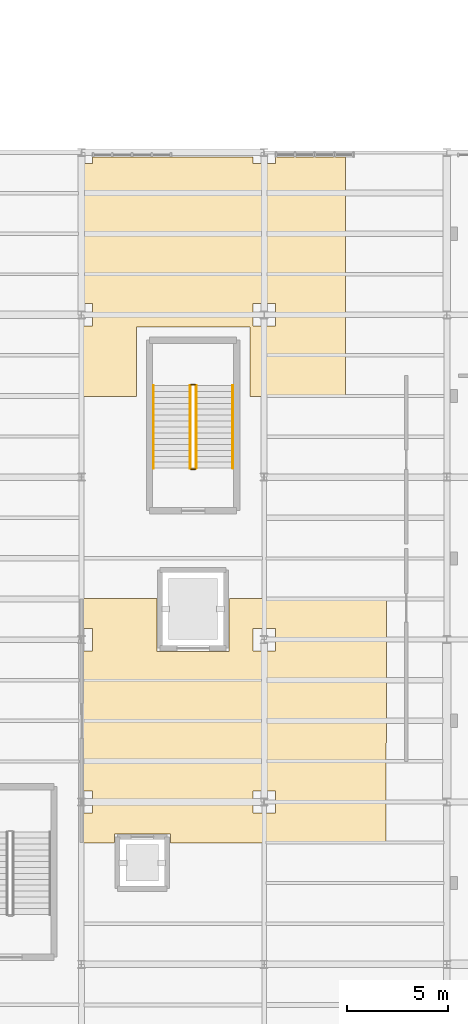
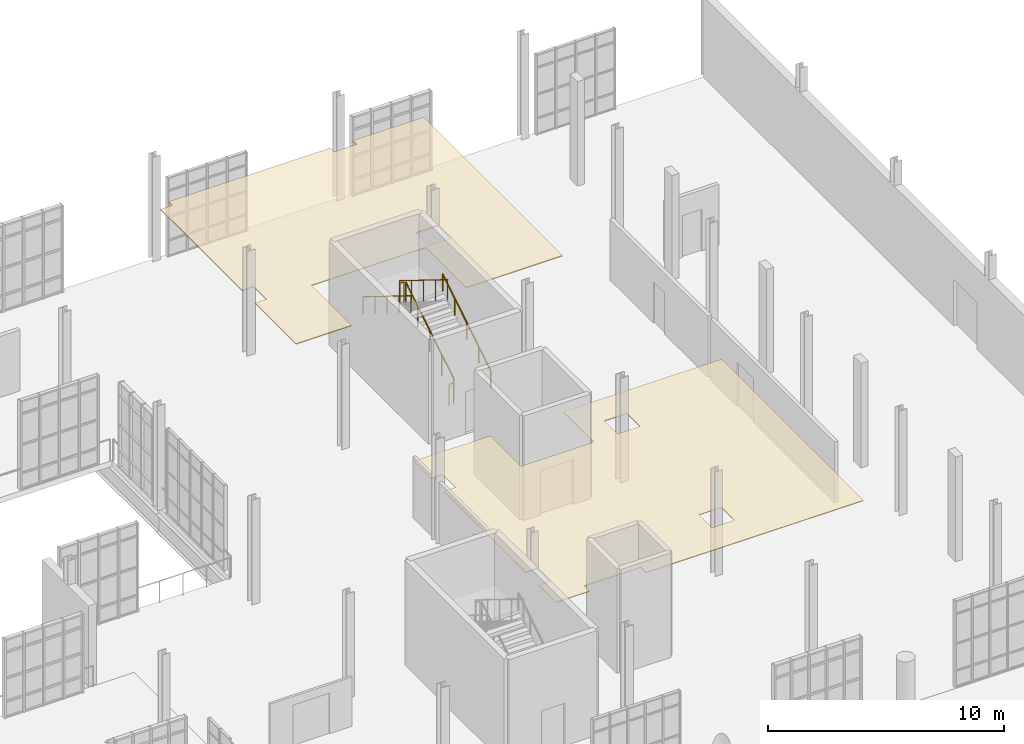
# One storey, part 188 of 189: 6 railings, 2 coverings.
"""IFC4 building model written with IfcOpenShell, lengths in metres."""

from ifc_helpers import new_model, si_unit, direction, frame, origin, origin_2d, place, context, subcontext, project, spatial, polyline, circle, outline, extrude, material, layer, layer_set, type_object, element, save


model = new_model("IFC4")

# Units and contexts
model_context = context("Model", 3, precision=1e-05, world=origin(), true_north=direction((0.0, 1.0)))
body_context = subcontext(model_context, "Body", "Model", "MODEL_VIEW")
ifc_project = project(units=[si_unit("LENGTHUNIT", "METRE"), si_unit("AREAUNIT", "SQUARE_METRE"), si_unit("VOLUMEUNIT", "CUBIC_METRE"), si_unit("PLANEANGLEUNIT", "RADIAN"), si_unit("MASSUNIT", "GRAM", prefix="KILO"), si_unit("THERMODYNAMICTEMPERATUREUNIT", "KELVIN"), si_unit("POWERUNIT", "WATT")], contexts=[model_context])

# Site, building, storey
site_placement = place(None, origin())
site = spatial("IfcSite", under=ifc_project, at=site_placement, CompositionType="ELEMENT")
building_placement = place(site_placement, origin())
building = spatial("IfcBuilding", under=site, at=building_placement, Name="Zelmaris Science Centre", CompositionType="ELEMENT")
storey_placement = place(building_placement, origin())
storey = spatial("IfcBuildingStorey", under=building, at=storey_placement, Name="L00", CompositionType="ELEMENT", Elevation=0.0)

# Coverings
ifc_material_1 = material(Name="Perforated mineral-fibre acoustic ceiling tile")
ifc_layer_1 = layer(ifc_material_1, 0.0400390625, Name="Perforated mineral-fibre acoustic ceiling tile")
ifc_layer_set_1 = layer_set([ifc_layer_1], Name="Perforated mineral-fibre acoustic ceiling tile")
covering_type_1 = type_object("IfcCoveringType", Name="Acoustic Ceiling CLG-01 40mm", PredefinedType="CEILING", material=ifc_layer_set_1)
covering_1_placement = place(storey_placement, frame((0.0, 0.0, 2.85009765625)))
element("IfcCovering", 1, at=covering_1_placement, inside=storey, type_object=covering_type_1, Name="L00 Junior Discovery School Workshop acoustic ceiling", PredefinedType="CEILING", context=body_context, shape_type="SweptSolid", body=[
    extrude(outline(polyline([(141.001953125, 34.014892578125), (141.00390625, 34.0146484375), (141.005859375, 34.01416015625), (141.0078125, 34.013427734375), (141.009521484375, 34.0126953125), (141.010986328125, 34.01171875), (141.0126953125, 34.010498046875), (141.01416015625, 34.009033203125), (141.015380859375, 34.0078125), (141.0166015625, 34.006103515625), (141.017578125, 34.00439453125), (141.0185546875, 34.002685546875), (141.01904296875, 34.000732421875), (141.01953125, 33.998779296875), (141.02001953125, 33.9970703125), (141.02001953125, 33.9951171875), (141.014892578125, 22.0048828125), (141.014892578125, 22.0029296875), (141.0146484375, 22.001220703125), (141.01416015625, 21.999267578125), (141.013427734375, 21.997314453125), (141.0126953125, 21.99560546875), (141.01171875, 21.993896484375), (141.010498046875, 21.9921875), (141.009033203125, 21.990966796875), (141.0078125, 21.989501953125), (141.006103515625, 21.98828125), (141.00439453125, 21.9873046875), (141.002685546875, 21.986572265625), (141.000732421875, 21.98583984375), (140.998779296875, 21.9853515625), (140.9970703125, 21.985107421875), (140.9951171875, 21.985107421875), (130.39990234375, 21.985107421875), (130.39794921875, 21.985107421875), (130.39599609375, 21.9853515625), (130.394287109375, 21.98583984375), (130.392333984375, 21.986572265625), (130.390625, 21.9873046875), (130.388916015625, 21.98828125), (130.38720703125, 21.989501953125), (130.385986328125, 21.990966796875), (130.384521484375, 21.9921875), (130.38330078125, 21.993896484375), (130.38232421875, 21.99560546875), (130.381591796875, 21.997314453125), (130.380859375, 21.999267578125), (130.38037109375, 22.001220703125), (130.380126953125, 22.0029296875), (130.3798828125, 22.0048828125), (130.3798828125, 22.429931640625), (127.6201171875, 22.429931640625), (127.6201171875, 22.0048828125), (127.619873046875, 22.0029296875), (127.61962890625, 22.001220703125), (127.619140625, 21.999267578125), (127.618408203125, 21.997314453125), (127.61767578125, 21.99560546875), (127.61669921875, 21.993896484375), (127.615478515625, 21.9921875), (127.614013671875, 21.990966796875), (127.61279296875, 21.989501953125), (127.611083984375, 21.98828125), (127.609375, 21.9873046875), (127.607666015625, 21.986572265625), (127.605712890625, 21.98583984375), (127.60400390625, 21.9853515625), (127.60205078125, 21.985107421875), (127.60009765625, 21.985107421875), (126.0048828125, 21.985107421875), (126.0029296875, 21.985107421875), (126.001220703125, 21.9853515625), (125.999267578125, 21.98583984375), (125.997314453125, 21.986572265625), (125.99560546875, 21.9873046875), (125.993896484375, 21.98828125), (125.9921875, 21.989501953125), (125.990966796875, 21.990966796875), (125.989501953125, 21.9921875), (125.98828125, 21.993896484375), (125.9873046875, 21.99560546875), (125.986572265625, 21.997314453125), (125.98583984375, 21.999267578125), (125.9853515625, 22.001220703125), (125.985107421875, 22.0029296875), (125.985107421875, 22.0048828125), (125.984375, 23.449951171875), (126.550048828125, 23.449951171875), (126.550048828125, 24.550048828125), (125.98388671875, 24.550048828125), (125.981201171875, 31.449951171875), (126.550048828125, 31.449951171875), (126.550048828125, 32.550048828125), (125.980712890625, 32.550048828125), (125.97998046875, 33.9951171875), (125.97998046875, 33.9970703125), (125.98046875, 33.998779296875), (125.98095703125, 34.000732421875), (125.9814453125, 34.002685546875), (125.982421875, 34.00439453125), (125.9833984375, 34.006103515625), (125.984619140625, 34.0078125), (125.98583984375, 34.009033203125), (125.9873046875, 34.010498046875), (125.989013671875, 34.01171875), (125.990478515625, 34.0126953125), (125.9921875, 34.013427734375), (125.994140625, 34.01416015625), (125.99609375, 34.0146484375), (125.998046875, 34.014892578125), (126.0, 34.014892578125), (129.699951171875, 34.014892578125), (129.701904296875, 34.014892578125), (129.703857421875, 34.0146484375), (129.705810546875, 34.01416015625), (129.707763671875, 34.013427734375), (129.70947265625, 34.0126953125), (129.711181640625, 34.01171875), (129.712646484375, 34.010498046875), (129.714111328125, 34.009033203125), (129.715576171875, 34.0078125), (129.716552734375, 34.006103515625), (129.717529296875, 34.00439453125), (129.718505859375, 34.002685546875), (129.718994140625, 34.000732421875), (129.719482421875, 33.998779296875), (129.719970703125, 33.9970703125), (129.719970703125, 33.9951171875), (129.719970703125, 31.419921875), (133.280029296875, 31.419921875), (133.280029296875, 33.9951171875), (133.280029296875, 33.9970703125), (133.280517578125, 33.998779296875), (133.281005859375, 34.000732421875), (133.281494140625, 34.002685546875), (133.282470703125, 34.00439453125), (133.283447265625, 34.006103515625), (133.284423828125, 34.0078125), (133.285888671875, 34.009033203125), (133.287353515625, 34.010498046875), (133.288818359375, 34.01171875), (133.29052734375, 34.0126953125), (133.292236328125, 34.013427734375), (133.294189453125, 34.01416015625), (133.296142578125, 34.0146484375), (133.298095703125, 34.014892578125), (133.300048828125, 34.014892578125), (141.0, 34.014892578125), (141.001953125, 34.014892578125)]), holes=[polyline([(135.550048828125, 23.449951171875), (135.550048828125, 24.550048828125), (134.449951171875, 24.550048828125), (134.449951171875, 23.449951171875), (135.550048828125, 23.449951171875)]), polyline([(135.550048828125, 32.550048828125), (134.449951171875, 32.550048828125), (134.449951171875, 31.449951171875), (135.550048828125, 31.449951171875), (135.550048828125, 32.550048828125)])]), origin(), (0.0, 0.0, 1.0), 0.039794921875),
])
ifc_layer_2 = layer(ifc_material_1, 0.050048828125, Name="Perforated mineral-fibre acoustic ceiling tile")
ifc_layer_set_2 = layer_set([ifc_layer_2], Name="Perforated mineral-fibre acoustic ceiling tile")
covering_type_2 = type_object("IfcCoveringType", Name="Acoustic Ceiling CLG-02 50mm", PredefinedType="CEILING", material=ifc_layer_set_2)
covering_2_placement = place(storey_placement, frame((0.0, 0.0, 2.85009765625)))
element("IfcCovering", 2, at=covering_2_placement, inside=storey, type_object=covering_type_2, Name="L00 Maker and Robotics School Workshop acoustic ceiling", PredefinedType="CEILING", context=body_context, shape_type="SweptSolid", body=[
    extrude(outline(polyline([(139.02001953125, 44.0029296875), (139.01953125, 44.001220703125), (139.01904296875, 43.999267578125), (139.0185546875, 43.997314453125), (139.017578125, 43.99560546875), (139.0166015625, 43.993896484375), (139.015380859375, 43.9921875), (139.01416015625, 43.990966796875), (139.0126953125, 43.989501953125), (139.010986328125, 43.98828125), (139.009521484375, 43.9873046875), (139.0078125, 43.986572265625), (139.005859375, 43.98583984375), (139.00390625, 43.9853515625), (139.001953125, 43.985107421875), (139.0, 43.985107421875), (134.300048828125, 43.985107421875), (134.300048828125, 47.39990234375), (128.699951171875, 47.39990234375), (128.699951171875, 43.985107421875), (126.0048828125, 43.985107421875), (126.0029296875, 43.985107421875), (126.001220703125, 43.9853515625), (125.999267578125, 43.98583984375), (125.997314453125, 43.986572265625), (125.99560546875, 43.9873046875), (125.993896484375, 43.98828125), (125.9921875, 43.989501953125), (125.990966796875, 43.990966796875), (125.989501953125, 43.9921875), (125.98828125, 43.993896484375), (125.9873046875, 43.99560546875), (125.986572265625, 43.997314453125), (125.98583984375, 43.999267578125), (125.9853515625, 44.001220703125), (125.985107421875, 44.0029296875), (125.985107421875, 44.0048828125), (125.985107421875, 47.449951171875), (126.550048828125, 47.449951171875), (126.550048828125, 48.550048828125), (125.985107421875, 48.550048828125), (125.985107421875, 55.449951171875), (126.550048828125, 55.449951171875), (126.550048828125, 55.77001953125), (134.449951171875, 55.77001953125), (134.449951171875, 55.449951171875), (135.550048828125, 55.449951171875), (135.550048828125, 55.77001953125), (139.0, 55.77001953125), (139.001953125, 55.77001953125), (139.00390625, 55.76953125), (139.005859375, 55.76904296875), (139.0078125, 55.7685546875), (139.009521484375, 55.767578125), (139.010986328125, 55.7666015625), (139.0126953125, 55.765380859375), (139.01416015625, 55.76416015625), (139.015380859375, 55.7626953125), (139.0166015625, 55.760986328125), (139.017578125, 55.759521484375), (139.0185546875, 55.7578125), (139.01904296875, 55.755859375), (139.01953125, 55.75390625), (139.02001953125, 55.751953125), (139.02001953125, 55.75), (139.02001953125, 44.0048828125), (139.02001953125, 44.0029296875)]), holes=[polyline([(134.449951171875, 47.449951171875), (135.550048828125, 47.449951171875), (135.550048828125, 48.550048828125), (134.449951171875, 48.550048828125), (134.449951171875, 47.449951171875)])]), origin(), (0.0, 0.0, 1.0), 0.0498046875),
])

# Railings
ifc_material_2 = material(Name="Architectural bronze alloy C28000")
railing_type_1 = type_object("IfcRailingType", Name="Balustrade GD-01 H1120", PredefinedType="BALUSTRADE", material=ifc_material_2)
railing_1_placement = place(storey_placement, frame((131.64990234375, 40.449951171875, 0.179931640625)))
element("IfcRailing", 3, at=railing_1_placement, inside=storey, type_object=railing_type_1, Name="L00 ST-5 stair guard 1", PredefinedType="BALUSTRADE", context=body_context, shape_type="SweptSolid", body=[
    extrude(circle(Radius=0.02392578125, at=origin_2d()), frame((0.0, 0.0, 1.076171875), z_axis=(0.0, 0.849641744969, 0.527360318194), x_axis=(-1.0, 0.0, 0.0)), (0.0, 0.0, 1.0), 4.778564453125),
    extrude(circle(Radius=0.02099609375, at=origin_2d()), origin(), (0.0, 0.0, 1.0), 1.052001953125),
    extrude(circle(Radius=0.02099609375, at=origin_2d()), frame((0.0, 1.01513671875, 0.6298828125)), (0.0, 0.0, 1.0), 1.052001953125),
    extrude(circle(Radius=0.02099609375, at=origin_2d()), frame((0.0, 2.030029296875, 1.260009765625)), (0.0, 0.0, 1.0), 1.052001953125),
    extrude(circle(Radius=0.02099609375, at=origin_2d()), frame((0.0, 3.044921875, 1.89013671875)), (0.0, 0.0, 1.0), 1.052001953125),
    extrude(circle(Radius=0.02099609375, at=origin_2d()), frame((0.0, 4.06005859375, 2.52001953125)), (0.0, 0.0, 1.0), 1.052001953125),
])
railing_2_placement = place(storey_placement, frame((131.60009765625, 44.56005859375, 2.699951171875)))
element("IfcRailing", 4, at=railing_2_placement, inside=storey, type_object=railing_type_1, Name="L00 ST-5 stair guard 2", PredefinedType="BALUSTRADE", context=body_context, shape_type="SweptSolid", body=[
    extrude(circle(Radius=0.02392578125, at=origin_2d()), frame((0.0, 0.0, 1.076171875), z_axis=(-1.0, 0.0, 0.0), x_axis=(0.0, -1.0, 0.0)), (0.0, 0.0, 1.0), 0.2001953125),
    extrude(circle(Radius=0.02099609375, at=origin_2d()), origin(), (0.0, 0.0, 1.0), 1.052001953125),
    extrude(circle(Radius=0.02099609375, at=origin_2d()), frame((-0.2001953125, 0.0, 0.0)), (0.0, 0.0, 1.0), 1.052001953125),
])
railing_3_placement = place(storey_placement, frame((131.35009765625, 44.510009765625, 2.8798828125)))
element("IfcRailing", 5, at=railing_3_placement, inside=storey, type_object=railing_type_1, Name="L00 ST-5 stair guard 3", PredefinedType="BALUSTRADE", context=body_context, shape_type="SweptSolid", body=[
    extrude(circle(Radius=0.02392578125, at=origin_2d()), frame((0.0, 0.0, 1.076171875), z_axis=(0.0, -0.849641744969, 0.527360318194), x_axis=(1.0, 0.0, 0.0)), (0.0, 0.0, 1.0), 4.778564453125),
    extrude(circle(Radius=0.02099609375, at=origin_2d()), origin(), (0.0, 0.0, 1.0), 1.052001953125),
    extrude(circle(Radius=0.02099609375, at=origin_2d()), frame((0.0, -1.01513671875, 0.6298828125)), (0.0, 0.0, 1.0), 1.052001953125),
    extrude(circle(Radius=0.02099609375, at=origin_2d()), frame((0.0, -2.030029296875, 1.260009765625)), (0.0, 0.0, 1.0), 1.052001953125),
    extrude(circle(Radius=0.02099609375, at=origin_2d()), frame((0.0, -3.044921875, 1.89013671875)), (0.0, 0.0, 1.0), 1.052001953125),
    extrude(circle(Radius=0.02099609375, at=origin_2d()), frame((0.0, -4.06005859375, 2.52001953125)), (0.0, 0.0, 1.0), 1.052001953125),
])
railing_4_placement = place(storey_placement, frame((131.60009765625, 40.39990234375, 0.0)))
element("IfcRailing", 6, at=railing_4_placement, inside=storey, type_object=railing_type_1, Name="L00 ST-5 stair guard 4", PredefinedType="BALUSTRADE", context=body_context, shape_type="SweptSolid", body=[
    extrude(circle(Radius=0.02392578125, at=origin_2d()), frame((0.0, 0.0, 1.076171875), z_axis=(-1.0, 0.0, 0.0), x_axis=(0.0, -1.0, 0.0)), (0.0, 0.0, 1.0), 0.2001953125),
    extrude(circle(Radius=0.02099609375, at=origin_2d()), origin(), (0.0, 0.0, 1.0), 1.052001953125),
    extrude(circle(Radius=0.02099609375, at=origin_2d()), frame((-0.2001953125, 0.0, 0.0)), (0.0, 0.0, 1.0), 1.052001953125),
])
railing_type_2 = type_object("IfcRailingType", Name="Handrail HR-01 H900", PredefinedType="HANDRAIL", material=ifc_material_2)
railing_5_placement = place(storey_placement, frame((133.449951171875, 40.449951171875, 0.179931640625)))
element("IfcRailing", 7, at=railing_5_placement, inside=storey, type_object=railing_type_2, Name="L00 ST-5 stair handrail 1", PredefinedType="HANDRAIL", context=body_context, shape_type="SweptSolid", body=[
    extrude(circle(Radius=0.02392578125, at=origin_2d()), frame((0.0, 0.0, 0.8759765625), z_axis=(0.0, 0.849641744969, 0.527360318194), x_axis=(-1.0, 0.0, 0.0)), (0.0, 0.0, 1.0), 4.778564453125),
    extrude(circle(Radius=0.02099609375, at=origin_2d()), origin(), (0.0, 0.0, 1.0), 0.851806640625),
    extrude(circle(Radius=0.02099609375, at=origin_2d()), frame((0.0, 1.01513671875, 0.6298828125)), (0.0, 0.0, 1.0), 0.851806640625),
    extrude(circle(Radius=0.02099609375, at=origin_2d()), frame((0.0, 2.030029296875, 1.260009765625)), (0.0, 0.0, 1.0), 0.851806640625),
    extrude(circle(Radius=0.02099609375, at=origin_2d()), frame((0.0, 3.044921875, 1.89013671875)), (0.0, 0.0, 1.0), 0.851806640625),
    extrude(circle(Radius=0.02099609375, at=origin_2d()), frame((0.0, 4.06005859375, 2.52001953125)), (0.0, 0.0, 1.0), 0.851806640625),
])
railing_6_placement = place(storey_placement, frame((129.550048828125, 44.510009765625, 2.8798828125)))
element("IfcRailing", 8, at=railing_6_placement, inside=storey, type_object=railing_type_2, Name="L00 ST-5 stair handrail 2", PredefinedType="HANDRAIL", context=body_context, shape_type="SweptSolid", body=[
    extrude(circle(Radius=0.02392578125, at=origin_2d()), frame((0.0, 0.0, 0.8759765625), z_axis=(0.0, -0.849641744969, 0.527360318194), x_axis=(1.0, 0.0, 0.0)), (0.0, 0.0, 1.0), 4.778564453125),
    extrude(circle(Radius=0.02099609375, at=origin_2d()), origin(), (0.0, 0.0, 1.0), 0.851806640625),
    extrude(circle(Radius=0.02099609375, at=origin_2d()), frame((0.0, -1.01513671875, 0.6298828125)), (0.0, 0.0, 1.0), 0.851806640625),
    extrude(circle(Radius=0.02099609375, at=origin_2d()), frame((0.0, -2.030029296875, 1.260009765625)), (0.0, 0.0, 1.0), 0.851806640625),
    extrude(circle(Radius=0.02099609375, at=origin_2d()), frame((0.0, -3.044921875, 1.89013671875)), (0.0, 0.0, 1.0), 0.851806640625),
    extrude(circle(Radius=0.02099609375, at=origin_2d()), frame((0.0, -4.06005859375, 2.52001953125)), (0.0, 0.0, 1.0), 0.851806640625),
])

save(model, "model.ifc")
